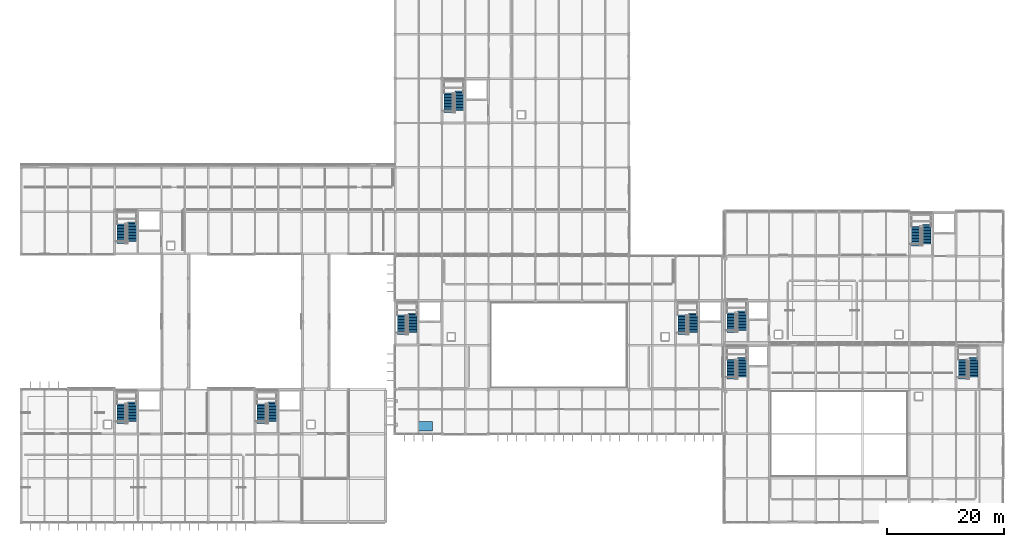
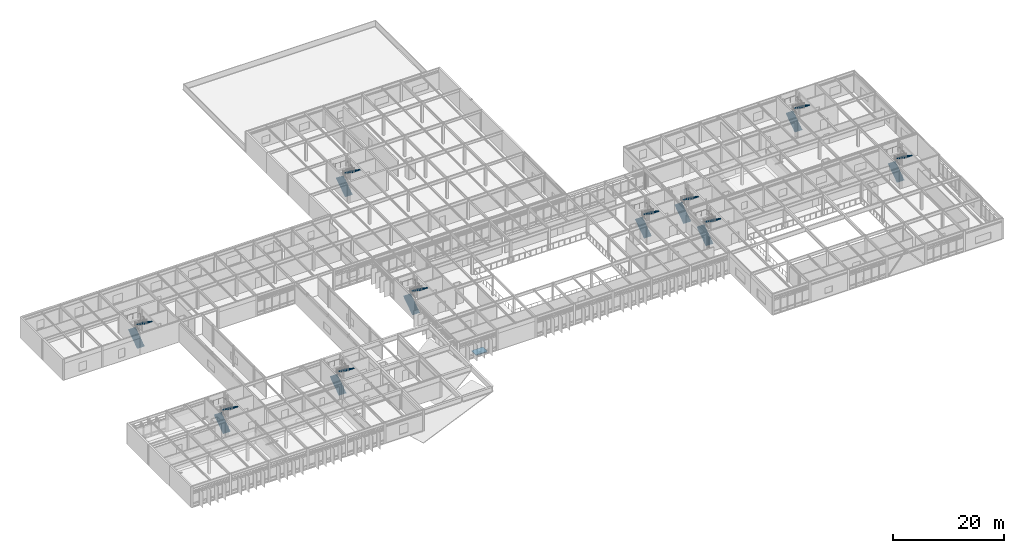
# One storey, part 90 of 104: 20 stair flights, 1 ramp flight, 11 elements without a shape of their own.
"""IFC4 building model written with IfcOpenShell, lengths in metres."""

import ifcopenshell
import ifcopenshell.guid

model = None  # the IFC model being written
_history = None  # IfcOwnerHistory: only IFC2X3 demands one
_inside = {}  # id of a spatial element -> (the spatial element, [elements in it])
_under = {}  # id of a project, library or spatial element -> (it, [spatial elements below it])
_declared = {}  # id of a project -> (the project, [libraries it declares])
_typed = {}  # id of a type object -> (the type object, [elements of that type])
_made_of = {}  # id of a material, layer set ... -> (it, [elements and type objects made of it])


def new_model(schema):
    """Start an empty IFC model of exactly this schema.

    Asked for "IFC4X3", IfcOpenShell would pick the latest addendum, in which some entities
    have other attributes; the version numbers below select the first issue.
    IFC2X3 requires an IfcOwnerHistory on every rooted entity: one is made here for all.
    """
    global model, _history
    if schema == "IFC4X3":
        model = ifcopenshell.file(schema_version=(4, 3, 0, 0))
    else:
        model = ifcopenshell.file(schema=schema)
    _inside.clear()
    _under.clear()
    _declared.clear()
    _typed.clear()
    _made_of.clear()
    _history = None
    if model.schema == "IFC2X3":
        org = make("IfcOrganization", Name="unknown")
        user = make(
            "IfcPersonAndOrganization",
            ThePerson=make("IfcPerson", FamilyName="unknown"),
            TheOrganization=org,
        )
        app = make(
            "IfcApplication",
            ApplicationDeveloper=org,
            Version="unknown",
            ApplicationFullName="unknown",
            ApplicationIdentifier="unknown",
        )
        _history = make(
            "IfcOwnerHistory",
            OwningUser=user,
            OwningApplication=app,
            ChangeAction="ADDED",
            CreationDate=0,
        )
    return model


def make(cls, **values):
    """One entity of the class cls with the attributes given. An attribute that is None is left unset."""
    return model.create_entity(
        cls, **{name: value for name, value in values.items() if value is not None}
    )


def rooted(cls, **values):
    """An entity with a GlobalId (a new one), such as an element, a storey or a relation."""
    return make(cls, GlobalId=ifcopenshell.guid.new(), OwnerHistory=_history, **values)


def si_unit(unit_type, name, prefix=None):
    """IfcSIUnit, for example si_unit("LENGTHUNIT", "METRE", prefix="MILLI")."""
    return make("IfcSIUnit", UnitType=unit_type, Prefix=prefix, Name=name)


def assignment(units):
    """IfcUnitAssignment: the units of a project."""
    return None if units is None else make("IfcUnitAssignment", Units=units)


def point(xyz):
    """IfcCartesianPoint."""
    return None if xyz is None else make("IfcCartesianPoint", Coordinates=xyz)


def direction(xyz):
    """IfcDirection."""
    return None if xyz is None else make("IfcDirection", DirectionRatios=xyz)


def frame(location, z_axis=None, x_axis=None):
    """IfcAxis2Placement3D, a coordinate frame: its origin and axes. An axis left out is left unset."""
    return make(
        "IfcAxis2Placement3D",
        Location=point(location),
        Axis=direction(z_axis),
        RefDirection=direction(x_axis),
    )


def origin():
    """The frame at (0, 0, 0) with its axes left unset."""
    return frame((0.0, 0.0, 0.0))


def place(relative_to, where):
    """IfcLocalPlacement: puts the frame where relative to a parent placement (None: the world)."""
    return make(
        "IfcLocalPlacement", PlacementRelTo=relative_to, RelativePlacement=where
    )


def context(
    kind, dimensions, precision=None, world=None, true_north=None, identifier=None
):
    """IfcGeometricRepresentationContext, for example the 3D "Model" context."""
    return make(
        "IfcGeometricRepresentationContext",
        ContextIdentifier=identifier,
        ContextType=kind,
        CoordinateSpaceDimension=dimensions,
        Precision=precision,
        WorldCoordinateSystem=world,
        TrueNorth=true_north,
    )


def subcontext(parent, identifier, kind, view, scale=None):
    """IfcGeometricRepresentationSubContext, for example "Body" below "Model"."""
    return make(
        "IfcGeometricRepresentationSubContext",
        ContextIdentifier=identifier,
        ContextType=kind,
        ParentContext=parent,
        TargetScale=scale,
        TargetView=view,
    )


def project(units=None, contexts=None):
    """IfcProject with its units and contexts."""
    return rooted(
        "IfcProject",
        Name="project",
        RepresentationContexts=contexts,
        UnitsInContext=assignment(units),
    )


def spatial(cls, under=None, at=None, **own):
    """A site, building, storey or space (cls), placed at a placement, below another one or the project."""
    s = rooted(cls, ObjectPlacement=at, **own)
    if under is not None:
        _under.setdefault(under.id(), (under, []))[1].append(s)
    return s


def polyline(points):
    """IfcPolyline through the points."""
    return make("IfcPolyline", Points=[point(p) for p in points])


def outline(outer, holes=None, kind="AREA"):
    """IfcArbitraryClosedProfileDef: a profile drawn as a closed curve; with holes, ...WithVoids."""
    if holes is None:
        return make("IfcArbitraryClosedProfileDef", ProfileType=kind, OuterCurve=outer)
    return make(
        "IfcArbitraryProfileDefWithVoids",
        ProfileType=kind,
        OuterCurve=outer,
        InnerCurves=holes,
    )


def extrude(swept, where, along, depth):
    """IfcExtrudedAreaSolid: the profile swept, set in the frame where, extruded along a direction by depth."""
    return make(
        "IfcExtrudedAreaSolid",
        SweptArea=swept,
        Position=where,
        ExtrudedDirection=direction(along),
        Depth=depth,
    )


def shape(context_of_items, identifier, shape_type, items):
    """IfcShapeRepresentation: the items that make up one representation, for example the "Body"."""
    return make(
        "IfcShapeRepresentation",
        ContextOfItems=context_of_items,
        RepresentationIdentifier=identifier,
        RepresentationType=shape_type,
        Items=items,
    )


def material(Name=None, Category=None):
    """IfcMaterial."""
    return make("IfcMaterial", Name=Name, Category=Category)


def layer(
    of_material, thickness, ventilated=None, Name=None, Category=None, Priority=None
):
    """IfcMaterialLayer: one layer of a wall or slab, of a material (None: an air gap)."""
    return make(
        "IfcMaterialLayer",
        Material=of_material,
        LayerThickness=thickness,
        IsVentilated=ventilated,
        Name=Name,
        Category=Category,
        Priority=Priority,
    )


def layer_set(layers, Name=None):
    """IfcMaterialLayerSet."""
    return make("IfcMaterialLayerSet", MaterialLayers=layers, LayerSetName=Name)


def made_of(thing, what):
    """Note that an element or type object is made of a material, layer set ...; save() writes the relation."""
    if what is not None:
        _made_of.setdefault(what.id(), (what, []))[1].append(thing)
    return thing


def type_object(cls, material=None, **own):
    """A type object (cls), such as IfcWallType, which elements share."""
    return made_of(rooted(cls, **own), material)


def element(
    cls,
    number,
    at=None,
    inside=None,
    cuts=None,
    type_object=None,
    material=None,
    context=None,
    identifier="Body",
    shape_type=None,
    held_by="IfcProductDefinitionShape",
    body=None,
    shapes=None,
    **own,
):
    """One element of the class cls, such as IfcWall. Its Tag is "e" and its number.

    at: its placement. inside: the storey or other place that contains it. cuts: it is an
    opening in that element (IfcRelVoidsElement). A single representation is given by context,
    identifier, shape_type and body (its items); several are given by shapes. held_by: the class
    of the entity that holds the representations. save() writes the other relations.
    """
    e = rooted(cls, Tag="e%d" % number, ObjectPlacement=at, **own)
    if body is not None:
        shapes = [shape(context, identifier, shape_type, body)]
    if shapes is not None:
        e.Representation = make(held_by, Representations=shapes)
    if inside is not None:
        _inside.setdefault(inside.id(), (inside, []))[1].append(e)
    if cuts is not None:
        rooted(
            "IfcRelVoidsElement", RelatingBuildingElement=cuts, RelatedOpeningElement=e
        )
    if type_object is not None:
        _typed.setdefault(type_object.id(), (type_object, []))[1].append(e)
    return made_of(e, material)


def aggregate(whole, parts):
    """IfcRelAggregates: a whole, such as a stair, and the parts it consists of."""
    return rooted("IfcRelAggregates", RelatingObject=whole, RelatedObjects=parts)


def save(model, path):
    """Write the relations noted so far, then the file.

    IfcRelAggregates (storeys below a building ...), IfcRelContainedInSpatialStructure (elements
    in a storey), IfcRelDefinesByType, IfcRelAssociatesMaterial and IfcRelDeclares: one each for
    every whole, place, type object, material and project.
    """
    for whole, parts in _under.values():
        aggregate(whole, parts)
    for where, things in _inside.values():
        rooted(
            "IfcRelContainedInSpatialStructure",
            RelatedElements=things,
            RelatingStructure=where,
        )
    for kind, things in _typed.values():
        rooted("IfcRelDefinesByType", RelatedObjects=things, RelatingType=kind)
    for what, things in _made_of.values():
        rooted("IfcRelAssociatesMaterial", RelatedObjects=things, RelatingMaterial=what)
    for by, libraries in _declared.values():
        rooted("IfcRelDeclares", RelatingContext=by, RelatedDefinitions=libraries)
    model.write(path)


model = new_model("IFC4")

# Units and contexts
model_context = context("Model", 3, precision=1e-05, world=origin(), true_north=direction((0.0, 1.0)))
body_context = subcontext(model_context, "Body", "Model", "MODEL_VIEW")
ifc_project = project(units=[si_unit("LENGTHUNIT", "METRE"), si_unit("AREAUNIT", "SQUARE_METRE"), si_unit("VOLUMEUNIT", "CUBIC_METRE"), si_unit("PLANEANGLEUNIT", "RADIAN"), si_unit("MASSUNIT", "GRAM", prefix="KILO")], contexts=[model_context])

# Site, building, storey
site_placement = place(None, origin())
site = spatial("IfcSite", under=ifc_project, at=site_placement, CompositionType="ELEMENT")
building_placement = place(site_placement, origin())
building = spatial("IfcBuilding", under=site, at=building_placement, Name="Zulena Civic Courthouse", CompositionType="ELEMENT")
storey_placement = place(building_placement, frame((0.0, 0.0, 10.800048828125)))
storey = spatial("IfcBuildingStorey", under=building, at=storey_placement, Name="L02", CompositionType="ELEMENT", Elevation=10.800048828125)

# Stair, stair flights
ifc_material_1 = material(Name="Precast concrete C40/50", Category="concrete")
stair_type = type_object("IfcStairType", Name="HalfTurnStair_4800", PredefinedType="HALF_TURN_STAIR", material=ifc_material_1)
stair_1_placement = place(storey_placement, origin())
stair_1 = element("IfcStair", 1, at=stair_1_placement, inside=storey, type_object=stair_type, Name="stair:K2A:L02", PredefinedType="HALF_TURN_STAIR")
stair_flight_type = type_object("IfcStairFlightType", Name="StairFlight_4800", PredefinedType="STRAIGHT", material=ifc_material_1)
stair_flight_1_placement = place(storey_placement, frame((21.1298828125, 16.97998046875, 0.0), z_axis=(0.0, 0.0, 1.0), x_axis=(0.0, 1.0, 0.0)))
stair_flight_1 = element("IfcStairFlight", 2, at=stair_flight_1_placement, type_object=stair_flight_type, Name="stair:K2A:L02:F1", NumberOfRisers=14, NumberOfTreads=13, PredefinedType="STRAIGHT", RiserHeight=0.17143, TreadLength=0.255, context=body_context, shape_type="SweptSolid", body=[
    extrude(outline(polyline([(0.0, 0.0), (0.0, 0.17138671875), (0.2548828125, 0.17138671875), (0.2548828125, 0.3427734375), (0.510009765625, 0.3427734375), (0.510009765625, 0.514404296875), (0.764892578125, 0.514404296875), (0.764892578125, 0.685791015625), (1.02001953125, 0.685791015625), (1.02001953125, 0.857177734375), (1.27490234375, 0.857177734375), (1.27490234375, 1.028564453125), (1.530029296875, 1.028564453125), (1.530029296875, 1.199951171875), (1.784912109375, 1.199951171875), (1.784912109375, 1.371337890625), (2.0400390625, 1.371337890625), (2.0400390625, 1.54296875), (2.294921875, 1.54296875), (2.294921875, 1.71435546875), (2.550048828125, 1.71435546875), (2.550048828125, 1.8857421875), (2.804931640625, 1.8857421875), (2.804931640625, 2.05712890625), (3.06005859375, 2.05712890625), (3.06005859375, 2.228515625), (3.31494140625, 2.228515625), (3.31494140625, 2.39990234375), (3.31494140625, 2.10205078125), (0.188232421875, 0.0), (0.0, 0.0)])), frame((0.0, 0.75, 0.0), z_axis=(0.0, -1.0, 0.0), x_axis=(1.0, 0.0, 0.0)), (0.0, 0.0, 1.0), 1.5),
])
stair_flight_2_placement = place(storey_placement, frame((22.969970703125, 20.634765625, 2.39990234375), z_axis=(0.0, 0.0, 1.0), x_axis=(0.0, -1.0, 0.0)))
stair_flight_2 = element("IfcStairFlight", 3, at=stair_flight_2_placement, type_object=stair_flight_type, Name="stair:K2A:L02:F2", NumberOfRisers=14, NumberOfTreads=13, PredefinedType="STRAIGHT", RiserHeight=0.17143, TreadLength=0.255, context=body_context, shape_type="SweptSolid", body=[
    extrude(outline(polyline([(0.0, 0.0), (0.0, 0.17138671875), (0.2548828125, 0.17138671875), (0.2548828125, 0.3427734375), (0.510009765625, 0.3427734375), (0.510009765625, 0.514404296875), (0.764892578125, 0.514404296875), (0.764892578125, 0.685791015625), (1.02001953125, 0.685791015625), (1.02001953125, 0.857177734375), (1.27490234375, 0.857177734375), (1.27490234375, 1.028564453125), (1.530029296875, 1.028564453125), (1.530029296875, 1.199951171875), (1.784912109375, 1.199951171875), (1.784912109375, 1.371337890625), (2.0400390625, 1.371337890625), (2.0400390625, 1.54296875), (2.294921875, 1.54296875), (2.294921875, 1.71435546875), (2.550048828125, 1.71435546875), (2.550048828125, 1.8857421875), (2.804931640625, 1.8857421875), (2.804931640625, 2.05712890625), (3.06005859375, 2.05712890625), (3.06005859375, 2.228515625), (3.31494140625, 2.228515625), (3.31494140625, 2.39990234375), (3.31494140625, 2.10205078125), (0.188232421875, 0.0), (0.0, 0.0)])), frame((0.0, 0.75, 0.0), z_axis=(0.0, -1.0, 0.0), x_axis=(1.0, 0.0, 0.0)), (0.0, 0.0, 1.0), 1.5),
])
aggregate(stair_1, [stair_flight_1, stair_flight_2])

stair_2_placement = place(storey_placement, origin())
stair_2 = element("IfcStair", 4, at=stair_2_placement, inside=storey, type_object=stair_type, Name="stair:K2B:L02", PredefinedType="HALF_TURN_STAIR")
stair_flight_3_placement = place(storey_placement, frame((45.1298828125, 16.97998046875, 0.0), z_axis=(0.0, 0.0, 1.0), x_axis=(0.0, 1.0, 0.0)))
stair_flight_3 = element("IfcStairFlight", 5, at=stair_flight_3_placement, type_object=stair_flight_type, Name="stair:K2B:L02:F1", NumberOfRisers=14, NumberOfTreads=13, PredefinedType="STRAIGHT", RiserHeight=0.17143, TreadLength=0.255, context=body_context, shape_type="SweptSolid", body=[
    extrude(outline(polyline([(0.0, 0.0), (0.0, 0.17138671875), (0.2548828125, 0.17138671875), (0.2548828125, 0.3427734375), (0.510009765625, 0.3427734375), (0.510009765625, 0.514404296875), (0.764892578125, 0.514404296875), (0.764892578125, 0.685791015625), (1.02001953125, 0.685791015625), (1.02001953125, 0.857177734375), (1.27490234375, 0.857177734375), (1.27490234375, 1.028564453125), (1.530029296875, 1.028564453125), (1.530029296875, 1.199951171875), (1.784912109375, 1.199951171875), (1.784912109375, 1.371337890625), (2.0400390625, 1.371337890625), (2.0400390625, 1.54296875), (2.294921875, 1.54296875), (2.294921875, 1.71435546875), (2.550048828125, 1.71435546875), (2.550048828125, 1.8857421875), (2.804931640625, 1.8857421875), (2.804931640625, 2.05712890625), (3.06005859375, 2.05712890625), (3.06005859375, 2.228515625), (3.31494140625, 2.228515625), (3.31494140625, 2.39990234375), (3.31494140625, 2.10205078125), (0.188232421875, 0.0), (0.0, 0.0)])), frame((0.0, 0.75, 0.0), z_axis=(0.0, -1.0, 0.0), x_axis=(1.0, 0.0, 0.0)), (0.0, 0.0, 1.0), 1.5),
])
stair_flight_4_placement = place(storey_placement, frame((46.969970703125, 20.634765625, 2.39990234375), z_axis=(0.0, 0.0, 1.0), x_axis=(0.0, -1.0, 0.0)))
stair_flight_4 = element("IfcStairFlight", 6, at=stair_flight_4_placement, type_object=stair_flight_type, Name="stair:K2B:L02:F2", NumberOfRisers=14, NumberOfTreads=13, PredefinedType="STRAIGHT", RiserHeight=0.17143, TreadLength=0.255, context=body_context, shape_type="SweptSolid", body=[
    extrude(outline(polyline([(0.0, 0.0), (0.0, 0.17138671875), (0.2548828125, 0.17138671875), (0.2548828125, 0.3427734375), (0.510009765625, 0.3427734375), (0.510009765625, 0.514404296875), (0.764892578125, 0.514404296875), (0.764892578125, 0.685791015625), (1.02001953125, 0.685791015625), (1.02001953125, 0.857177734375), (1.27490234375, 0.857177734375), (1.27490234375, 1.028564453125), (1.530029296875, 1.028564453125), (1.530029296875, 1.199951171875), (1.784912109375, 1.199951171875), (1.784912109375, 1.371337890625), (2.0400390625, 1.371337890625), (2.0400390625, 1.54296875), (2.294921875, 1.54296875), (2.294921875, 1.71435546875), (2.550048828125, 1.71435546875), (2.550048828125, 1.8857421875), (2.804931640625, 1.8857421875), (2.804931640625, 2.05712890625), (3.06005859375, 2.05712890625), (3.06005859375, 2.228515625), (3.31494140625, 2.228515625), (3.31494140625, 2.39990234375), (3.31494140625, 2.10205078125), (0.188232421875, 0.0), (0.0, 0.0)])), frame((0.0, 0.75, 0.0), z_axis=(0.0, -1.0, 0.0), x_axis=(1.0, 0.0, 0.0)), (0.0, 0.0, 1.0), 1.5),
])
aggregate(stair_2, [stair_flight_3, stair_flight_4])

stair_3_placement = place(storey_placement, origin())
stair_3 = element("IfcStair", 7, at=stair_3_placement, inside=storey, type_object=stair_type, Name="stair:K1A:L02", PredefinedType="HALF_TURN_STAIR")
stair_flight_5_placement = place(storey_placement, frame((125.530029296875, 24.580078125, 0.0), z_axis=(0.0, 0.0, 1.0), x_axis=(0.0, 1.0, 0.0)))
stair_flight_5 = element("IfcStairFlight", 8, at=stair_flight_5_placement, type_object=stair_flight_type, Name="stair:K1A:L02:F1", NumberOfRisers=14, NumberOfTreads=13, PredefinedType="STRAIGHT", RiserHeight=0.17143, TreadLength=0.255, context=body_context, shape_type="SweptSolid", body=[
    extrude(outline(polyline([(0.0, 0.0), (0.0, 0.17138671875), (0.2548828125, 0.17138671875), (0.2548828125, 0.3427734375), (0.510009765625, 0.3427734375), (0.510009765625, 0.514404296875), (0.764892578125, 0.514404296875), (0.764892578125, 0.685791015625), (1.02001953125, 0.685791015625), (1.02001953125, 0.857177734375), (1.27490234375, 0.857177734375), (1.27490234375, 1.028564453125), (1.530029296875, 1.028564453125), (1.530029296875, 1.199951171875), (1.784912109375, 1.199951171875), (1.784912109375, 1.371337890625), (2.0400390625, 1.371337890625), (2.0400390625, 1.54296875), (2.294921875, 1.54296875), (2.294921875, 1.71435546875), (2.550048828125, 1.71435546875), (2.550048828125, 1.8857421875), (2.804931640625, 1.8857421875), (2.804931640625, 2.05712890625), (3.06005859375, 2.05712890625), (3.06005859375, 2.228515625), (3.31494140625, 2.228515625), (3.31494140625, 2.39990234375), (3.31494140625, 2.10205078125), (0.188232421875, 0.0), (0.0, 0.0)])), frame((0.0, 0.75, 0.0), z_axis=(0.0, -1.0, 0.0), x_axis=(1.0, 0.0, 0.0)), (0.0, 0.0, 1.0), 1.5),
])
stair_flight_6_placement = place(storey_placement, frame((127.3701171875, 28.234619140625, 2.39990234375), z_axis=(0.0, 0.0, 1.0), x_axis=(0.0, -1.0, 0.0)))
stair_flight_6 = element("IfcStairFlight", 9, at=stair_flight_6_placement, type_object=stair_flight_type, Name="stair:K1A:L02:F2", NumberOfRisers=14, NumberOfTreads=13, PredefinedType="STRAIGHT", RiserHeight=0.17143, TreadLength=0.255, context=body_context, shape_type="SweptSolid", body=[
    extrude(outline(polyline([(0.0, 0.0), (0.0, 0.17138671875), (0.2548828125, 0.17138671875), (0.2548828125, 0.3427734375), (0.510009765625, 0.3427734375), (0.510009765625, 0.514404296875), (0.764892578125, 0.514404296875), (0.764892578125, 0.685791015625), (1.02001953125, 0.685791015625), (1.02001953125, 0.857177734375), (1.27490234375, 0.857177734375), (1.27490234375, 1.028564453125), (1.530029296875, 1.028564453125), (1.530029296875, 1.199951171875), (1.784912109375, 1.199951171875), (1.784912109375, 1.371337890625), (2.0400390625, 1.371337890625), (2.0400390625, 1.54296875), (2.294921875, 1.54296875), (2.294921875, 1.71435546875), (2.550048828125, 1.71435546875), (2.550048828125, 1.8857421875), (2.804931640625, 1.8857421875), (2.804931640625, 2.05712890625), (3.06005859375, 2.05712890625), (3.06005859375, 2.228515625), (3.31494140625, 2.228515625), (3.31494140625, 2.39990234375), (3.31494140625, 2.10205078125), (0.188232421875, 0.0), (0.0, 0.0)])), frame((0.0, 0.75, 0.0), z_axis=(0.0, -1.0, 0.0), x_axis=(1.0, 0.0, 0.0)), (0.0, 0.0, 1.0), 1.5),
])
aggregate(stair_3, [stair_flight_5, stair_flight_6])

stair_4_placement = place(storey_placement, origin())
stair_4 = element("IfcStair", 10, at=stair_4_placement, inside=storey, type_object=stair_type, Name="stair:K1B:L02", PredefinedType="HALF_TURN_STAIR")
stair_flight_7_placement = place(storey_placement, frame((165.1298828125, 24.580078125, 0.0), z_axis=(0.0, 0.0, 1.0), x_axis=(0.0, 1.0, 0.0)))
stair_flight_7 = element("IfcStairFlight", 11, at=stair_flight_7_placement, type_object=stair_flight_type, Name="stair:K1B:L02:F1", NumberOfRisers=14, NumberOfTreads=13, PredefinedType="STRAIGHT", RiserHeight=0.17143, TreadLength=0.255, context=body_context, shape_type="SweptSolid", body=[
    extrude(outline(polyline([(0.0, 0.0), (0.0, 0.17138671875), (0.2548828125, 0.17138671875), (0.2548828125, 0.3427734375), (0.510009765625, 0.3427734375), (0.510009765625, 0.514404296875), (0.764892578125, 0.514404296875), (0.764892578125, 0.685791015625), (1.02001953125, 0.685791015625), (1.02001953125, 0.857177734375), (1.27490234375, 0.857177734375), (1.27490234375, 1.028564453125), (1.530029296875, 1.028564453125), (1.530029296875, 1.199951171875), (1.784912109375, 1.199951171875), (1.784912109375, 1.371337890625), (2.0400390625, 1.371337890625), (2.0400390625, 1.54296875), (2.294921875, 1.54296875), (2.294921875, 1.71435546875), (2.550048828125, 1.71435546875), (2.550048828125, 1.8857421875), (2.804931640625, 1.8857421875), (2.804931640625, 2.05712890625), (3.06005859375, 2.05712890625), (3.06005859375, 2.228515625), (3.31494140625, 2.228515625), (3.31494140625, 2.39990234375), (3.31494140625, 2.10205078125), (0.188232421875, 0.0), (0.0, 0.0)])), frame((0.0, 0.75, 0.0), z_axis=(0.0, -1.0, 0.0), x_axis=(1.0, 0.0, 0.0)), (0.0, 0.0, 1.0), 1.5),
])
stair_flight_8_placement = place(storey_placement, frame((166.969970703125, 28.234619140625, 2.39990234375), z_axis=(0.0, 0.0, 1.0), x_axis=(0.0, -1.0, 0.0)))
stair_flight_8 = element("IfcStairFlight", 12, at=stair_flight_8_placement, type_object=stair_flight_type, Name="stair:K1B:L02:F2", NumberOfRisers=14, NumberOfTreads=13, PredefinedType="STRAIGHT", RiserHeight=0.17143, TreadLength=0.255, context=body_context, shape_type="SweptSolid", body=[
    extrude(outline(polyline([(0.0, 0.0), (0.0, 0.17138671875), (0.2548828125, 0.17138671875), (0.2548828125, 0.3427734375), (0.510009765625, 0.3427734375), (0.510009765625, 0.514404296875), (0.764892578125, 0.514404296875), (0.764892578125, 0.685791015625), (1.02001953125, 0.685791015625), (1.02001953125, 0.857177734375), (1.27490234375, 0.857177734375), (1.27490234375, 1.028564453125), (1.530029296875, 1.028564453125), (1.530029296875, 1.199951171875), (1.784912109375, 1.199951171875), (1.784912109375, 1.371337890625), (2.0400390625, 1.371337890625), (2.0400390625, 1.54296875), (2.294921875, 1.54296875), (2.294921875, 1.71435546875), (2.550048828125, 1.71435546875), (2.550048828125, 1.8857421875), (2.804931640625, 1.8857421875), (2.804931640625, 2.05712890625), (3.06005859375, 2.05712890625), (3.06005859375, 2.228515625), (3.31494140625, 2.228515625), (3.31494140625, 2.39990234375), (3.31494140625, 2.10205078125), (0.188232421875, 0.0), (0.0, 0.0)])), frame((0.0, 0.75, 0.0), z_axis=(0.0, -1.0, 0.0), x_axis=(1.0, 0.0, 0.0)), (0.0, 0.0, 1.0), 1.5),
])
aggregate(stair_4, [stair_flight_7, stair_flight_8])

stair_5_placement = place(storey_placement, origin())
stair_5 = element("IfcStair", 13, at=stair_5_placement, inside=storey, type_object=stair_type, Name="stair:K3A:L02", PredefinedType="HALF_TURN_STAIR")
stair_flight_9_placement = place(storey_placement, frame((125.530029296875, 32.580078125, 0.0), z_axis=(0.0, 0.0, 1.0), x_axis=(0.0, 1.0, 0.0)))
stair_flight_9 = element("IfcStairFlight", 14, at=stair_flight_9_placement, type_object=stair_flight_type, Name="stair:K3A:L02:F1", NumberOfRisers=14, NumberOfTreads=13, PredefinedType="STRAIGHT", RiserHeight=0.17143, TreadLength=0.255, context=body_context, shape_type="SweptSolid", body=[
    extrude(outline(polyline([(0.0, 0.0), (0.0, 0.17138671875), (0.2548828125, 0.17138671875), (0.2548828125, 0.3427734375), (0.510009765625, 0.3427734375), (0.510009765625, 0.514404296875), (0.764892578125, 0.514404296875), (0.764892578125, 0.685791015625), (1.02001953125, 0.685791015625), (1.02001953125, 0.857177734375), (1.27490234375, 0.857177734375), (1.27490234375, 1.028564453125), (1.530029296875, 1.028564453125), (1.530029296875, 1.199951171875), (1.784912109375, 1.199951171875), (1.784912109375, 1.371337890625), (2.0400390625, 1.371337890625), (2.0400390625, 1.54296875), (2.294921875, 1.54296875), (2.294921875, 1.71435546875), (2.550048828125, 1.71435546875), (2.550048828125, 1.8857421875), (2.804931640625, 1.8857421875), (2.804931640625, 2.05712890625), (3.06005859375, 2.05712890625), (3.06005859375, 2.228515625), (3.31494140625, 2.228515625), (3.31494140625, 2.39990234375), (3.31494140625, 2.10205078125), (0.188232421875, 0.0), (0.0, 0.0)])), frame((0.0, 0.75, 0.0), z_axis=(0.0, -1.0, 0.0), x_axis=(1.0, 0.0, 0.0)), (0.0, 0.0, 1.0), 1.5),
])
stair_flight_10_placement = place(storey_placement, frame((127.3701171875, 36.234619140625, 2.39990234375), z_axis=(0.0, 0.0, 1.0), x_axis=(0.0, -1.0, 0.0)))
stair_flight_10 = element("IfcStairFlight", 15, at=stair_flight_10_placement, type_object=stair_flight_type, Name="stair:K3A:L02:F2", NumberOfRisers=14, NumberOfTreads=13, PredefinedType="STRAIGHT", RiserHeight=0.17143, TreadLength=0.255, context=body_context, shape_type="SweptSolid", body=[
    extrude(outline(polyline([(0.0, 0.0), (0.0, 0.17138671875), (0.2548828125, 0.17138671875), (0.2548828125, 0.3427734375), (0.510009765625, 0.3427734375), (0.510009765625, 0.514404296875), (0.764892578125, 0.514404296875), (0.764892578125, 0.685791015625), (1.02001953125, 0.685791015625), (1.02001953125, 0.857177734375), (1.27490234375, 0.857177734375), (1.27490234375, 1.028564453125), (1.530029296875, 1.028564453125), (1.530029296875, 1.199951171875), (1.784912109375, 1.199951171875), (1.784912109375, 1.371337890625), (2.0400390625, 1.371337890625), (2.0400390625, 1.54296875), (2.294921875, 1.54296875), (2.294921875, 1.71435546875), (2.550048828125, 1.71435546875), (2.550048828125, 1.8857421875), (2.804931640625, 1.8857421875), (2.804931640625, 2.05712890625), (3.06005859375, 2.05712890625), (3.06005859375, 2.228515625), (3.31494140625, 2.228515625), (3.31494140625, 2.39990234375), (3.31494140625, 2.10205078125), (0.188232421875, 0.0), (0.0, 0.0)])), frame((0.0, 0.75, 0.0), z_axis=(0.0, -1.0, 0.0), x_axis=(1.0, 0.0, 0.0)), (0.0, 0.0, 1.0), 1.5),
])
aggregate(stair_5, [stair_flight_9, stair_flight_10])

stair_6_placement = place(storey_placement, origin())
stair_6 = element("IfcStair", 16, at=stair_6_placement, inside=storey, type_object=stair_type, Name="stair:K3B:L02", PredefinedType="HALF_TURN_STAIR")
stair_flight_11_placement = place(storey_placement, frame((157.1298828125, 47.3798828125, 0.0), z_axis=(0.0, 0.0, 1.0), x_axis=(0.0, 1.0, 0.0)))
stair_flight_11 = element("IfcStairFlight", 17, at=stair_flight_11_placement, type_object=stair_flight_type, Name="stair:K3B:L02:F1", NumberOfRisers=14, NumberOfTreads=13, PredefinedType="STRAIGHT", RiserHeight=0.17143, TreadLength=0.255, context=body_context, shape_type="SweptSolid", body=[
    extrude(outline(polyline([(0.0, 0.0), (0.0, 0.17138671875), (0.2548828125, 0.17138671875), (0.2548828125, 0.3427734375), (0.510009765625, 0.3427734375), (0.510009765625, 0.514404296875), (0.764892578125, 0.514404296875), (0.764892578125, 0.685791015625), (1.02001953125, 0.685791015625), (1.02001953125, 0.857177734375), (1.27490234375, 0.857177734375), (1.27490234375, 1.028564453125), (1.530029296875, 1.028564453125), (1.530029296875, 1.199951171875), (1.784912109375, 1.199951171875), (1.784912109375, 1.371337890625), (2.0400390625, 1.371337890625), (2.0400390625, 1.54296875), (2.294921875, 1.54296875), (2.294921875, 1.71435546875), (2.550048828125, 1.71435546875), (2.550048828125, 1.8857421875), (2.804931640625, 1.8857421875), (2.804931640625, 2.05712890625), (3.06005859375, 2.05712890625), (3.06005859375, 2.228515625), (3.31494140625, 2.228515625), (3.31494140625, 2.39990234375), (3.31494140625, 2.10205078125), (0.188232421875, 0.0), (0.0, 0.0)])), frame((0.0, 0.75, 0.0), z_axis=(0.0, -1.0, 0.0), x_axis=(1.0, 0.0, 0.0)), (0.0, 0.0, 1.0), 1.5),
])
stair_flight_12_placement = place(storey_placement, frame((158.969970703125, 51.03466796875, 2.39990234375), z_axis=(0.0, 0.0, 1.0), x_axis=(0.0, -1.0, 0.0)))
stair_flight_12 = element("IfcStairFlight", 18, at=stair_flight_12_placement, type_object=stair_flight_type, Name="stair:K3B:L02:F2", NumberOfRisers=14, NumberOfTreads=13, PredefinedType="STRAIGHT", RiserHeight=0.17143, TreadLength=0.255, context=body_context, shape_type="SweptSolid", body=[
    extrude(outline(polyline([(0.0, 0.0), (0.0, 0.17138671875), (0.2548828125, 0.17138671875), (0.2548828125, 0.3427734375), (0.510009765625, 0.3427734375), (0.510009765625, 0.514404296875), (0.764892578125, 0.514404296875), (0.764892578125, 0.685791015625), (1.02001953125, 0.685791015625), (1.02001953125, 0.857177734375), (1.27490234375, 0.857177734375), (1.27490234375, 1.028564453125), (1.530029296875, 1.028564453125), (1.530029296875, 1.199951171875), (1.784912109375, 1.199951171875), (1.784912109375, 1.371337890625), (2.0400390625, 1.371337890625), (2.0400390625, 1.54296875), (2.294921875, 1.54296875), (2.294921875, 1.71435546875), (2.550048828125, 1.71435546875), (2.550048828125, 1.8857421875), (2.804931640625, 1.8857421875), (2.804931640625, 2.05712890625), (3.06005859375, 2.05712890625), (3.06005859375, 2.228515625), (3.31494140625, 2.228515625), (3.31494140625, 2.39990234375), (3.31494140625, 2.10205078125), (0.188232421875, 0.0), (0.0, 0.0)])), frame((0.0, 0.75, 0.0), z_axis=(0.0, -1.0, 0.0), x_axis=(1.0, 0.0, 0.0)), (0.0, 0.0, 1.0), 1.5),
])
aggregate(stair_6, [stair_flight_11, stair_flight_12])

stair_7_placement = place(storey_placement, origin())
stair_7 = element("IfcStair", 19, at=stair_7_placement, inside=storey, type_object=stair_type, Name="stair:K4A:L02", PredefinedType="HALF_TURN_STAIR")
stair_flight_13_placement = place(storey_placement, frame((69.1298828125, 32.179931640625, 0.0), z_axis=(0.0, 0.0, 1.0), x_axis=(0.0, 1.0, 0.0)))
stair_flight_13 = element("IfcStairFlight", 20, at=stair_flight_13_placement, type_object=stair_flight_type, Name="stair:K4A:L02:F1", NumberOfRisers=14, NumberOfTreads=13, PredefinedType="STRAIGHT", RiserHeight=0.17143, TreadLength=0.255, context=body_context, shape_type="SweptSolid", body=[
    extrude(outline(polyline([(0.0, 0.0), (0.0, 0.17138671875), (0.2548828125, 0.17138671875), (0.2548828125, 0.3427734375), (0.510009765625, 0.3427734375), (0.510009765625, 0.514404296875), (0.764892578125, 0.514404296875), (0.764892578125, 0.685791015625), (1.02001953125, 0.685791015625), (1.02001953125, 0.857177734375), (1.27490234375, 0.857177734375), (1.27490234375, 1.028564453125), (1.530029296875, 1.028564453125), (1.530029296875, 1.199951171875), (1.784912109375, 1.199951171875), (1.784912109375, 1.371337890625), (2.0400390625, 1.371337890625), (2.0400390625, 1.54296875), (2.294921875, 1.54296875), (2.294921875, 1.71435546875), (2.550048828125, 1.71435546875), (2.550048828125, 1.8857421875), (2.804931640625, 1.8857421875), (2.804931640625, 2.05712890625), (3.06005859375, 2.05712890625), (3.06005859375, 2.228515625), (3.31494140625, 2.228515625), (3.31494140625, 2.39990234375), (3.31494140625, 2.10205078125), (0.188232421875, 0.0), (0.0, 0.0)])), frame((0.0, 0.75, 0.0), z_axis=(0.0, -1.0, 0.0), x_axis=(1.0, 0.0, 0.0)), (0.0, 0.0, 1.0), 1.5),
])
stair_flight_14_placement = place(storey_placement, frame((70.969970703125, 35.834716796875, 2.39990234375), z_axis=(0.0, 0.0, 1.0), x_axis=(0.0, -1.0, 0.0)))
stair_flight_14 = element("IfcStairFlight", 21, at=stair_flight_14_placement, type_object=stair_flight_type, Name="stair:K4A:L02:F2", NumberOfRisers=14, NumberOfTreads=13, PredefinedType="STRAIGHT", RiserHeight=0.17143, TreadLength=0.255, context=body_context, shape_type="SweptSolid", body=[
    extrude(outline(polyline([(0.0, 0.0), (0.0, 0.17138671875), (0.2548828125, 0.17138671875), (0.2548828125, 0.3427734375), (0.510009765625, 0.3427734375), (0.510009765625, 0.514404296875), (0.764892578125, 0.514404296875), (0.764892578125, 0.685791015625), (1.02001953125, 0.685791015625), (1.02001953125, 0.857177734375), (1.27490234375, 0.857177734375), (1.27490234375, 1.028564453125), (1.530029296875, 1.028564453125), (1.530029296875, 1.199951171875), (1.784912109375, 1.199951171875), (1.784912109375, 1.371337890625), (2.0400390625, 1.371337890625), (2.0400390625, 1.54296875), (2.294921875, 1.54296875), (2.294921875, 1.71435546875), (2.550048828125, 1.71435546875), (2.550048828125, 1.8857421875), (2.804931640625, 1.8857421875), (2.804931640625, 2.05712890625), (3.06005859375, 2.05712890625), (3.06005859375, 2.228515625), (3.31494140625, 2.228515625), (3.31494140625, 2.39990234375), (3.31494140625, 2.10205078125), (0.188232421875, 0.0), (0.0, 0.0)])), frame((0.0, 0.75, 0.0), z_axis=(0.0, -1.0, 0.0), x_axis=(1.0, 0.0, 0.0)), (0.0, 0.0, 1.0), 1.5),
])
aggregate(stair_7, [stair_flight_13, stair_flight_14])

stair_8_placement = place(storey_placement, origin())
stair_8 = element("IfcStair", 22, at=stair_8_placement, inside=storey, type_object=stair_type, Name="stair:K4B:L02", PredefinedType="HALF_TURN_STAIR")
stair_flight_15_placement = place(storey_placement, frame((117.1298828125, 32.179931640625, 0.0), z_axis=(0.0, 0.0, 1.0), x_axis=(0.0, 1.0, 0.0)))
stair_flight_15 = element("IfcStairFlight", 23, at=stair_flight_15_placement, type_object=stair_flight_type, Name="stair:K4B:L02:F1", NumberOfRisers=14, NumberOfTreads=13, PredefinedType="STRAIGHT", RiserHeight=0.17143, TreadLength=0.255, context=body_context, shape_type="SweptSolid", body=[
    extrude(outline(polyline([(0.0, 0.0), (0.0, 0.17138671875), (0.2548828125, 0.17138671875), (0.2548828125, 0.3427734375), (0.510009765625, 0.3427734375), (0.510009765625, 0.514404296875), (0.764892578125, 0.514404296875), (0.764892578125, 0.685791015625), (1.02001953125, 0.685791015625), (1.02001953125, 0.857177734375), (1.27490234375, 0.857177734375), (1.27490234375, 1.028564453125), (1.530029296875, 1.028564453125), (1.530029296875, 1.199951171875), (1.784912109375, 1.199951171875), (1.784912109375, 1.371337890625), (2.0400390625, 1.371337890625), (2.0400390625, 1.54296875), (2.294921875, 1.54296875), (2.294921875, 1.71435546875), (2.550048828125, 1.71435546875), (2.550048828125, 1.8857421875), (2.804931640625, 1.8857421875), (2.804931640625, 2.05712890625), (3.06005859375, 2.05712890625), (3.06005859375, 2.228515625), (3.31494140625, 2.228515625), (3.31494140625, 2.39990234375), (3.31494140625, 2.10205078125), (0.188232421875, 0.0), (0.0, 0.0)])), frame((0.0, 0.75, 0.0), z_axis=(0.0, -1.0, 0.0), x_axis=(1.0, 0.0, 0.0)), (0.0, 0.0, 1.0), 1.5),
])
stair_flight_16_placement = place(storey_placement, frame((118.969970703125, 35.834716796875, 2.39990234375), z_axis=(0.0, 0.0, 1.0), x_axis=(0.0, -1.0, 0.0)))
stair_flight_16 = element("IfcStairFlight", 24, at=stair_flight_16_placement, type_object=stair_flight_type, Name="stair:K4B:L02:F2", NumberOfRisers=14, NumberOfTreads=13, PredefinedType="STRAIGHT", RiserHeight=0.17143, TreadLength=0.255, context=body_context, shape_type="SweptSolid", body=[
    extrude(outline(polyline([(0.0, 0.0), (0.0, 0.17138671875), (0.2548828125, 0.17138671875), (0.2548828125, 0.3427734375), (0.510009765625, 0.3427734375), (0.510009765625, 0.514404296875), (0.764892578125, 0.514404296875), (0.764892578125, 0.685791015625), (1.02001953125, 0.685791015625), (1.02001953125, 0.857177734375), (1.27490234375, 0.857177734375), (1.27490234375, 1.028564453125), (1.530029296875, 1.028564453125), (1.530029296875, 1.199951171875), (1.784912109375, 1.199951171875), (1.784912109375, 1.371337890625), (2.0400390625, 1.371337890625), (2.0400390625, 1.54296875), (2.294921875, 1.54296875), (2.294921875, 1.71435546875), (2.550048828125, 1.71435546875), (2.550048828125, 1.8857421875), (2.804931640625, 1.8857421875), (2.804931640625, 2.05712890625), (3.06005859375, 2.05712890625), (3.06005859375, 2.228515625), (3.31494140625, 2.228515625), (3.31494140625, 2.39990234375), (3.31494140625, 2.10205078125), (0.188232421875, 0.0), (0.0, 0.0)])), frame((0.0, 0.75, 0.0), z_axis=(0.0, -1.0, 0.0), x_axis=(1.0, 0.0, 0.0)), (0.0, 0.0, 1.0), 1.5),
])
aggregate(stair_8, [stair_flight_15, stair_flight_16])

stair_9_placement = place(storey_placement, origin())
stair_9 = element("IfcStair", 25, at=stair_9_placement, inside=storey, type_object=stair_type, Name="stair:K5A:L02", PredefinedType="HALF_TURN_STAIR")
stair_flight_17_placement = place(storey_placement, frame((21.1298828125, 47.780029296875, 0.0), z_axis=(0.0, 0.0, 1.0), x_axis=(0.0, 1.0, 0.0)))
stair_flight_17 = element("IfcStairFlight", 26, at=stair_flight_17_placement, type_object=stair_flight_type, Name="stair:K5A:L02:F1", NumberOfRisers=14, NumberOfTreads=13, PredefinedType="STRAIGHT", RiserHeight=0.17143, TreadLength=0.255, context=body_context, shape_type="SweptSolid", body=[
    extrude(outline(polyline([(0.0, 0.0), (0.0, 0.17138671875), (0.2548828125, 0.17138671875), (0.2548828125, 0.3427734375), (0.510009765625, 0.3427734375), (0.510009765625, 0.514404296875), (0.764892578125, 0.514404296875), (0.764892578125, 0.685791015625), (1.02001953125, 0.685791015625), (1.02001953125, 0.857177734375), (1.27490234375, 0.857177734375), (1.27490234375, 1.028564453125), (1.530029296875, 1.028564453125), (1.530029296875, 1.199951171875), (1.784912109375, 1.199951171875), (1.784912109375, 1.371337890625), (2.0400390625, 1.371337890625), (2.0400390625, 1.54296875), (2.294921875, 1.54296875), (2.294921875, 1.71435546875), (2.550048828125, 1.71435546875), (2.550048828125, 1.8857421875), (2.804931640625, 1.8857421875), (2.804931640625, 2.05712890625), (3.06005859375, 2.05712890625), (3.06005859375, 2.228515625), (3.31494140625, 2.228515625), (3.31494140625, 2.39990234375), (3.31494140625, 2.10205078125), (0.188232421875, 0.0), (0.0, 0.0)])), frame((0.0, 0.75, 0.0), z_axis=(0.0, -1.0, 0.0), x_axis=(1.0, 0.0, 0.0)), (0.0, 0.0, 1.0), 1.5),
])
stair_flight_18_placement = place(storey_placement, frame((22.969970703125, 51.434814453125, 2.39990234375), z_axis=(0.0, 0.0, 1.0), x_axis=(0.0, -1.0, 0.0)))
stair_flight_18 = element("IfcStairFlight", 27, at=stair_flight_18_placement, type_object=stair_flight_type, Name="stair:K5A:L02:F2", NumberOfRisers=14, NumberOfTreads=13, PredefinedType="STRAIGHT", RiserHeight=0.17143, TreadLength=0.255, context=body_context, shape_type="SweptSolid", body=[
    extrude(outline(polyline([(0.0, 0.0), (0.0, 0.17138671875), (0.2548828125, 0.17138671875), (0.2548828125, 0.3427734375), (0.510009765625, 0.3427734375), (0.510009765625, 0.514404296875), (0.764892578125, 0.514404296875), (0.764892578125, 0.685791015625), (1.02001953125, 0.685791015625), (1.02001953125, 0.857177734375), (1.27490234375, 0.857177734375), (1.27490234375, 1.028564453125), (1.530029296875, 1.028564453125), (1.530029296875, 1.199951171875), (1.784912109375, 1.199951171875), (1.784912109375, 1.371337890625), (2.0400390625, 1.371337890625), (2.0400390625, 1.54296875), (2.294921875, 1.54296875), (2.294921875, 1.71435546875), (2.550048828125, 1.71435546875), (2.550048828125, 1.8857421875), (2.804931640625, 1.8857421875), (2.804931640625, 2.05712890625), (3.06005859375, 2.05712890625), (3.06005859375, 2.228515625), (3.31494140625, 2.228515625), (3.31494140625, 2.39990234375), (3.31494140625, 2.10205078125), (0.188232421875, 0.0), (0.0, 0.0)])), frame((0.0, 0.75, 0.0), z_axis=(0.0, -1.0, 0.0), x_axis=(1.0, 0.0, 0.0)), (0.0, 0.0, 1.0), 1.5),
])
aggregate(stair_9, [stair_flight_17, stair_flight_18])

stair_10_placement = place(storey_placement, origin())
stair_10 = element("IfcStair", 28, at=stair_10_placement, inside=storey, type_object=stair_type, Name="stair:K5B:L02", PredefinedType="HALF_TURN_STAIR")
stair_flight_19_placement = place(storey_placement, frame((77.1298828125, 70.179931640625, 0.0), z_axis=(0.0, 0.0, 1.0), x_axis=(0.0, 1.0, 0.0)))
stair_flight_19 = element("IfcStairFlight", 29, at=stair_flight_19_placement, type_object=stair_flight_type, Name="stair:K5B:L02:F1", NumberOfRisers=14, NumberOfTreads=13, PredefinedType="STRAIGHT", RiserHeight=0.17143, TreadLength=0.255, context=body_context, shape_type="SweptSolid", body=[
    extrude(outline(polyline([(0.0, 0.0), (0.0, 0.17138671875), (0.2548828125, 0.17138671875), (0.2548828125, 0.3427734375), (0.510009765625, 0.3427734375), (0.510009765625, 0.514404296875), (0.764892578125, 0.514404296875), (0.764892578125, 0.685791015625), (1.02001953125, 0.685791015625), (1.02001953125, 0.857177734375), (1.27490234375, 0.857177734375), (1.27490234375, 1.028564453125), (1.530029296875, 1.028564453125), (1.530029296875, 1.199951171875), (1.784912109375, 1.199951171875), (1.784912109375, 1.371337890625), (2.0400390625, 1.371337890625), (2.0400390625, 1.54296875), (2.294921875, 1.54296875), (2.294921875, 1.71435546875), (2.550048828125, 1.71435546875), (2.550048828125, 1.8857421875), (2.804931640625, 1.8857421875), (2.804931640625, 2.05712890625), (3.06005859375, 2.05712890625), (3.06005859375, 2.228515625), (3.31494140625, 2.228515625), (3.31494140625, 2.39990234375), (3.31494140625, 2.10205078125), (0.188232421875, 0.0), (0.0, 0.0)])), frame((0.0, 0.75, 0.0), z_axis=(0.0, -1.0, 0.0), x_axis=(1.0, 0.0, 0.0)), (0.0, 0.0, 1.0), 1.5),
])
stair_flight_20_placement = place(storey_placement, frame((78.969970703125, 73.834716796875, 2.39990234375), z_axis=(0.0, 0.0, 1.0), x_axis=(0.0, -1.0, 0.0)))
stair_flight_20 = element("IfcStairFlight", 30, at=stair_flight_20_placement, type_object=stair_flight_type, Name="stair:K5B:L02:F2", NumberOfRisers=14, NumberOfTreads=13, PredefinedType="STRAIGHT", RiserHeight=0.17143, TreadLength=0.255, context=body_context, shape_type="SweptSolid", body=[
    extrude(outline(polyline([(0.0, 0.0), (0.0, 0.17138671875), (0.2548828125, 0.17138671875), (0.2548828125, 0.3427734375), (0.510009765625, 0.3427734375), (0.510009765625, 0.514404296875), (0.764892578125, 0.514404296875), (0.764892578125, 0.685791015625), (1.02001953125, 0.685791015625), (1.02001953125, 0.857177734375), (1.27490234375, 0.857177734375), (1.27490234375, 1.028564453125), (1.530029296875, 1.028564453125), (1.530029296875, 1.199951171875), (1.784912109375, 1.199951171875), (1.784912109375, 1.371337890625), (2.0400390625, 1.371337890625), (2.0400390625, 1.54296875), (2.294921875, 1.54296875), (2.294921875, 1.71435546875), (2.550048828125, 1.71435546875), (2.550048828125, 1.8857421875), (2.804931640625, 1.8857421875), (2.804931640625, 2.05712890625), (3.06005859375, 2.05712890625), (3.06005859375, 2.228515625), (3.31494140625, 2.228515625), (3.31494140625, 2.39990234375), (3.31494140625, 2.10205078125), (0.188232421875, 0.0), (0.0, 0.0)])), frame((0.0, 0.75, 0.0), z_axis=(0.0, -1.0, 0.0), x_axis=(1.0, 0.0, 0.0)), (0.0, 0.0, 1.0), 1.5),
])
aggregate(stair_10, [stair_flight_19, stair_flight_20])

# Ramp, ramp flight
ifc_material_2 = material(Name="Concrete C35/45", Category="concrete")
ramp_type = type_object("IfcRampType", Name="AccessibleRamp_1600", PredefinedType="STRAIGHT_RUN_RAMP", material=ifc_material_2)
ramp_placement = place(storey_placement, origin())
ramp = element("IfcRamp", 31, at=ramp_placement, inside=storey, type_object=ramp_type, Name="ramp:acc:4", PredefinedType="STRAIGHT_RUN_RAMP")
ifc_layer = layer(ifc_material_2, 0.179931640625)
ifc_layer_set = layer_set([ifc_layer], Name="Concrete C35/45")
ramp_flight_type = type_object("IfcRampFlightType", Name="AccessibleRampFlight_1600", PredefinedType="STRAIGHT", material=ifc_layer_set)
ramp_flight_placement = place(storey_placement, frame((72.0, 16.5, 0.0), z_axis=(0.0, 0.0, 1.0), x_axis=(1.0, 0.0, 0.0)))
ramp_flight = element("IfcRampFlight", 32, at=ramp_flight_placement, type_object=ramp_flight_type, Name="ramp:acc:4:FL1", PredefinedType="STRAIGHT", context=body_context, shape_type="SweptSolid", body=[
    extrude(outline(polyline([(0.0, 0.0), (2.39990234375, 0.0), (2.39990234375, -0.179931640625), (0.0, -0.179931640625), (0.0, 0.0)])), frame((0.0, 0.800048828125, 0.0), z_axis=(0.0, -1.0, 0.0), x_axis=(1.0, 0.0, 0.0)), (0.0, 0.0, 1.0), 1.60009765625),
])
aggregate(ramp, [ramp_flight])

save(model, "model.ifc")
